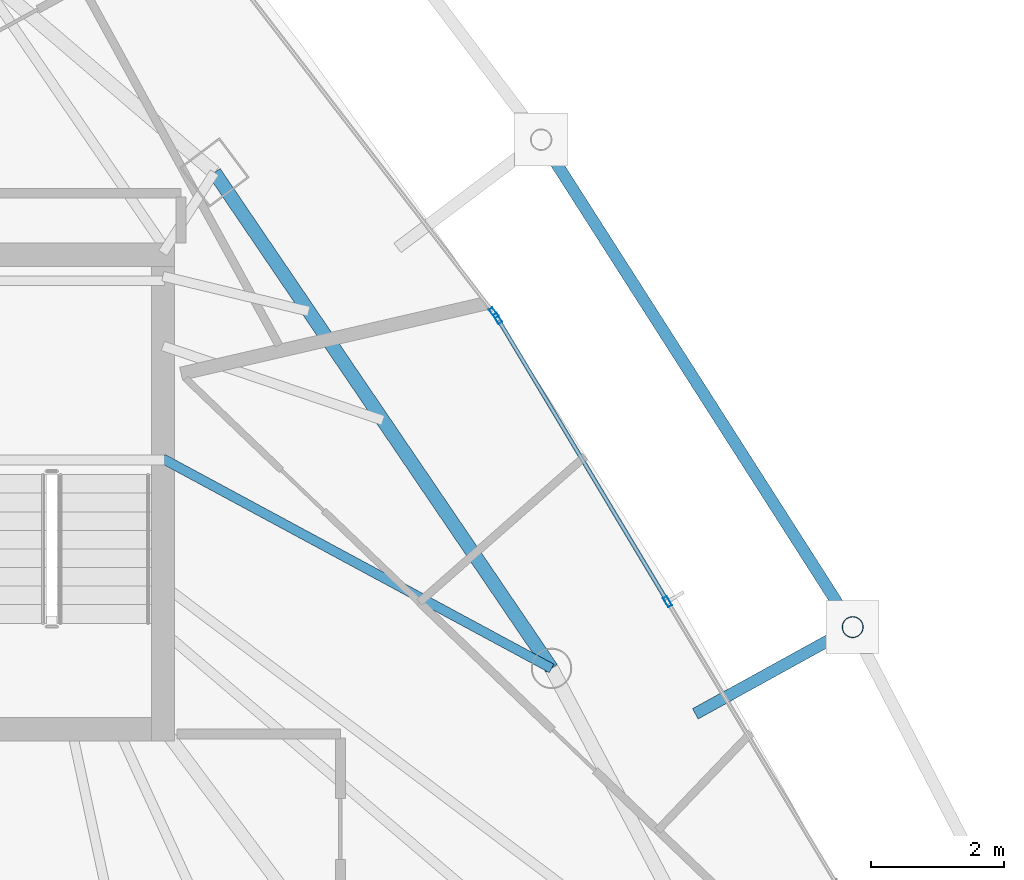
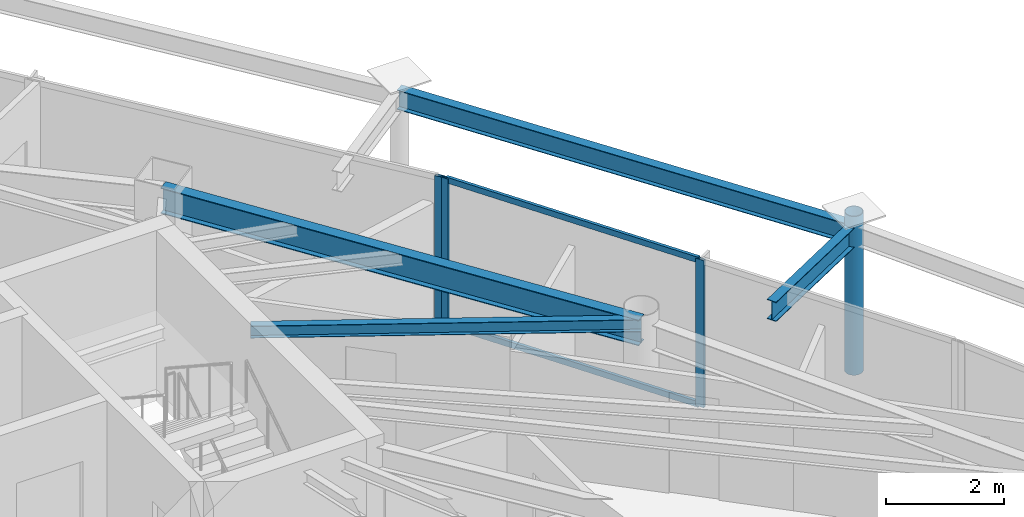
# One storey, part 20 of 32: 6 members, 4 beams, 2 elements without a shape of their own.
"""IFC4 building model written with IfcOpenShell, lengths in metres."""

from ifc_helpers import new_model, si_unit, direction, frame, origin, origin_2d, place, context, subcontext, project, spatial, hollow_rectangle, hollow_circle, i_section, extrude, material, layer, layer_set, material_profile, profile_set, type_object, element, aggregate, save


model = new_model("IFC4")

# Units and contexts
model_context = context("Model", 3, precision=1e-05, world=origin(), true_north=direction((0.0, 1.0)))
body_context = subcontext(model_context, "Body", "Model", "MODEL_VIEW")
ifc_project = project(units=[si_unit("LENGTHUNIT", "METRE"), si_unit("AREAUNIT", "SQUARE_METRE"), si_unit("VOLUMEUNIT", "CUBIC_METRE"), si_unit("PLANEANGLEUNIT", "RADIAN"), si_unit("MASSUNIT", "GRAM", prefix="KILO")], contexts=[model_context])

# Site, building, storey
site_placement = place(None, origin())
site = spatial("IfcSite", under=ifc_project, at=site_placement, CompositionType="ELEMENT")
building_placement = place(site_placement, origin())
building = spatial("IfcBuilding", under=site, at=building_placement, Name="Orvanel Arch Residences", CompositionType="ELEMENT")
storey_placement = place(building_placement, frame((0.0, 0.0, 222.800048828125)))
storey = spatial("IfcBuildingStorey", under=building, at=storey_placement, Name="L63", CompositionType="ELEMENT", Elevation=222.800048828125)

# Beam
ifc_material_1 = material(Name="Structural steel AS/NZS 3679.1 Grade 300 (300 MPa)", Category="steel")
ifc_material_profile_1 = material_profile(ifc_material_1, i_section(OverallWidth=0.14599609375, OverallDepth=0.251953125, WebThickness=0.006103515625, FlangeThickness=0.008544921875, at=origin_2d()), Name="250UB31.4")
ifc_profile_set_1 = profile_set([ifc_material_profile_1], Name="Structural steel AS/NZS 3679.1 Grade 300 (300 MPa)")
beam_type_1 = type_object("IfcBeamType", Name="BJ-250UB", PredefinedType="JOIST", material=ifc_profile_set_1)
beam_1_placement = place(storey_placement, frame((39.574951171875, 30.800048828125, 2.933837890625), z_axis=(0.880111494021, -0.474767056664, 0.0), x_axis=(0.474767056664, 0.880111494021, 0.0)))
element("IfcBeam", 1, at=beam_1_placement, inside=storey, type_object=beam_type_1, Name="L63 NE Wing Floor Joist", PredefinedType="JOIST", context=body_context, shape_type="SweptSolid", body=[
    extrude(i_section(OverallWidth=0.14599609375, OverallDepth=0.251953125, WebThickness=0.006103515625, FlangeThickness=0.008544921875, at=origin_2d()), origin(), (0.0, 0.0, 1.0), 6.653564453125),
])

# Curtain wall, members
ifc_material_2 = material(Name="Bronze-anodised aluminium AA6063-T6", Category="aluminium")
ifc_layer = layer(ifc_material_2, 0.175048828125)
ifc_layer_set = layer_set([ifc_layer], Name="Bronze-anodised aluminium AA6063-T6")
curtain_wall_type = type_object("IfcCurtainWallType", Name="CW4-HI-SYS", PredefinedType="NOTDEFINED", material=ifc_layer_set)
curtain_wall_1_placement = place(storey_placement, origin())
curtain_wall_1 = element("IfcCurtainWall", 2, at=curtain_wall_1_placement, inside=storey, type_object=curtain_wall_type, Name="L63 CW4-HI-SYS Unitised Curtain Wall", PredefinedType="NOTDEFINED")
ifc_material_profile_2 = material_profile(ifc_material_2, hollow_rectangle(XDim=0.06494140625, YDim=0.159912109375, WallThickness=0.00390625, at=origin_2d()), Name="ALU160x65x4")
ifc_profile_set_2 = profile_set([ifc_material_profile_2], Name="Bronze-anodised aluminium AA6063-T6")
member_type_1 = type_object("IfcMemberType", Name="MUL-160x65", PredefinedType="MULLION", material=ifc_profile_set_2)
member_1_placement = place(storey_placement, frame((47.178466796875, 28.64599609375, 0.0), z_axis=(0.0, 0.0, 1.0), x_axis=(-0.857536965081, -0.514422349359, 0.0)))
member_1 = element("IfcMember", 3, at=member_1_placement, type_object=member_type_1, Name="CW-S4 mullion 2", PredefinedType="MULLION", context=body_context, shape_type="SweptSolid", body=[
    extrude(hollow_rectangle(XDim=0.06494140625, YDim=0.159912109375, WallThickness=0.00390625, at=origin_2d()), origin(), (0.0, 0.0, 1.0), 3.06005859375),
])
member_2_placement = place(storey_placement, frame((44.61865234375, 32.9130859375, 0.0), z_axis=(0.0, 0.0, 1.0), x_axis=(-0.857536965081, -0.514422349359, 0.0)))
member_2 = element("IfcMember", 4, at=member_2_placement, type_object=member_type_1, Name="CW-S4 mullion 3", PredefinedType="MULLION", context=body_context, shape_type="SweptSolid", body=[
    extrude(hollow_rectangle(XDim=0.06494140625, YDim=0.159912109375, WallThickness=0.00390625, at=origin_2d()), origin(), (0.0, 0.0, 1.0), 3.06005859375),
])

# Curtain wall, member
curtain_wall_2_placement = place(storey_placement, origin())
curtain_wall_2 = element("IfcCurtainWall", 5, at=curtain_wall_2_placement, inside=storey, type_object=curtain_wall_type, Name="L63 CW4-HI-SYS Unitised Curtain Wall", PredefinedType="NOTDEFINED")
member_3_placement = place(storey_placement, frame((44.56005859375, 32.999755859375, 0.0), z_axis=(0.0, 0.0, 1.0), x_axis=(-0.791975613177, -0.610552723467, 0.0)))
member_3 = element("IfcMember", 6, at=member_3_placement, type_object=member_type_1, Name="CW-S4 mullion 1", PredefinedType="MULLION", context=body_context, shape_type="SweptSolid", body=[
    extrude(hollow_rectangle(XDim=0.06494140625, YDim=0.159912109375, WallThickness=0.00390625, at=origin_2d()), origin(), (0.0, 0.0, 1.0), 3.06005859375),
])
aggregate(curtain_wall_2, [member_3])

# Beams
ifc_material_profile_3 = material_profile(ifc_material_1, i_section(OverallWidth=0.177978515625, OverallDepth=0.406005859375, WebThickness=0.0078125, FlangeThickness=0.0126953125, at=origin_2d()), Name="410UB59.7")
ifc_profile_set_3 = profile_set([ifc_material_profile_3], Name="Structural steel AS/NZS 3679.1 Grade 300 (300 MPa)")
beam_type_2 = type_object("IfcBeamType", Name="OB-410UB-EXT", PredefinedType="SPANDREL", material=ifc_profile_set_3)
beam_2_placement = place(storey_placement, frame((47.596923828125, 26.9560546875, 2.85693359375), z_axis=(0.875781466114, 0.482707803553, 0.0), x_axis=(-0.482707803553, 0.875781466114, 0.0)))
element("IfcBeam", 7, at=beam_2_placement, inside=storey, type_object=beam_type_2, Name="L63 Outer Frame Radial Tie Beam 10", PredefinedType="SPANDREL", context=body_context, shape_type="SweptSolid", body=[
    extrude(i_section(OverallWidth=0.177978515625, OverallDepth=0.406005859375, WebThickness=0.0078125, FlangeThickness=0.0126953125, at=origin_2d()), origin(), (0.0, 0.0, 1.0), 2.70751953125),
])
beam_3_placement = place(storey_placement, frame((49.968017578125, 28.262939453125, 2.85693359375), z_axis=(-0.538480448233, 0.842638004645, 0.0), x_axis=(-0.842638004645, -0.538480448233, 0.0)))
element("IfcBeam", 8, at=beam_3_placement, inside=storey, type_object=beam_type_2, Name="L63 Outer Perimeter Floor Ring Beam 10", PredefinedType="SPANDREL", context=body_context, shape_type="SweptSolid", body=[
    extrude(i_section(OverallWidth=0.177978515625, OverallDepth=0.406005859375, WebThickness=0.0078125, FlangeThickness=0.0126953125, at=origin_2d()), origin(), (0.0, 0.0, 1.0), 8.715576171875),
])
ifc_material_profile_4 = material_profile(ifc_material_1, i_section(OverallWidth=0.208984375, OverallDepth=0.532958984375, WebThickness=0.01025390625, FlangeThickness=0.015625, at=origin_2d()), Name="530UB92.4")
ifc_profile_set_4 = profile_set([ifc_material_profile_4], Name="Structural steel AS/NZS 3679.1 Grade 300 (300 MPa)")
beam_type_3 = type_object("IfcBeamType", Name="SP-530UB", PredefinedType="SPANDREL", material=ifc_profile_set_4)
beam_4_placement = place(storey_placement, frame((45.430908203125, 27.64111328125, 2.7939453125), z_axis=(-0.562154793153, 0.827032035978, 0.0), x_axis=(-0.827032035978, -0.562154793153, 0.0)))
element("IfcBeam", 9, at=beam_4_placement, inside=storey, type_object=beam_type_3, Name="L63 Perimeter Spandrel Beam 08", PredefinedType="SPANDREL", context=body_context, shape_type="SweptSolid", body=[
    extrude(i_section(OverallWidth=0.208984375, OverallDepth=0.532958984375, WebThickness=0.01025390625, FlangeThickness=0.015625, at=origin_2d()), origin(), (0.0, 0.0, 1.0), 9.03466796875),
])

# Member
ifc_material_3 = material(Name="Structural steel AS/NZS 1163 C350L0 (Grade 350)", Category="steel")
ifc_material_profile_5 = material_profile(ifc_material_3, hollow_circle(Radius=0.162109375, WallThickness=0.0126953125, at=origin_2d()), Name="CHS324x12.7")
ifc_profile_set_5 = profile_set([ifc_material_profile_5], Name="Structural steel AS/NZS 1163 C350L0 (Grade 350)")
member_type_2 = type_object("IfcMemberType", Name="ST-324CHS-EXT", PredefinedType="STRUT", material=ifc_profile_set_5)
member_4_placement = place(storey_placement, frame((49.968017578125, 28.262939453125, 0.0), z_axis=(0.0, 0.0, 1.0), x_axis=(1.0, 0.0, 0.0)))
element("IfcMember", 10, at=member_4_placement, inside=storey, type_object=member_type_2, Name="L63 Outer Perimeter Frame Post 10", PredefinedType="STRUT", context=body_context, shape_type="SweptSolid", body=[
    extrude(hollow_circle(Radius=0.162109375, WallThickness=0.0126953125, at=origin_2d()), origin(), (0.0, 0.0, 1.0), 3.300048828125),
])

ifc_material_profile_6 = material_profile(ifc_material_2, hollow_rectangle(XDim=0.06005859375, YDim=0.1201171875, WallThickness=0.00341796875, at=origin_2d()), Name="ALU120x60x3.5")
ifc_profile_set_6 = profile_set([ifc_material_profile_6], Name="Bronze-anodised aluminium AA6063-T6")
member_type_3 = type_object("IfcMemberType", Name="TRN-120x60", PredefinedType="USERDEFINED", material=ifc_profile_set_6)
member_5_placement = place(storey_placement, frame((47.161865234375, 28.673828125, 0.030029296875), z_axis=(-0.514422647267, 0.85753678637, 0.0), x_axis=(-0.85753678637, -0.514422647267, 0.0)))
member_5 = element("IfcMember", 11, at=member_5_placement, type_object=member_type_3, Name="CW-S4 transom 2.1", ObjectType="TRANSOM", PredefinedType="USERDEFINED", context=body_context, shape_type="SweptSolid", body=[
    extrude(hollow_rectangle(XDim=0.06005859375, YDim=0.1201171875, WallThickness=0.00341796875, at=origin_2d()), origin(), (0.0, 0.0, 1.0), 4.9111328125),
])

member_6_placement = place(storey_placement, frame((47.161865234375, 28.673828125, 3.030029296875), z_axis=(-0.514422647267, 0.85753678637, 0.0), x_axis=(-0.85753678637, -0.514422647267, 0.0)))
member_6 = element("IfcMember", 12, at=member_6_placement, type_object=member_type_3, Name="CW-S4 transom 2.2", ObjectType="TRANSOM", PredefinedType="USERDEFINED", context=body_context, shape_type="SweptSolid", body=[
    extrude(hollow_rectangle(XDim=0.06005859375, YDim=0.1201171875, WallThickness=0.00341796875, at=origin_2d()), origin(), (0.0, 0.0, 1.0), 4.9111328125),
])

aggregate(curtain_wall_1, [member_1, member_2, member_5, member_6])

save(model, "model.ifc")
